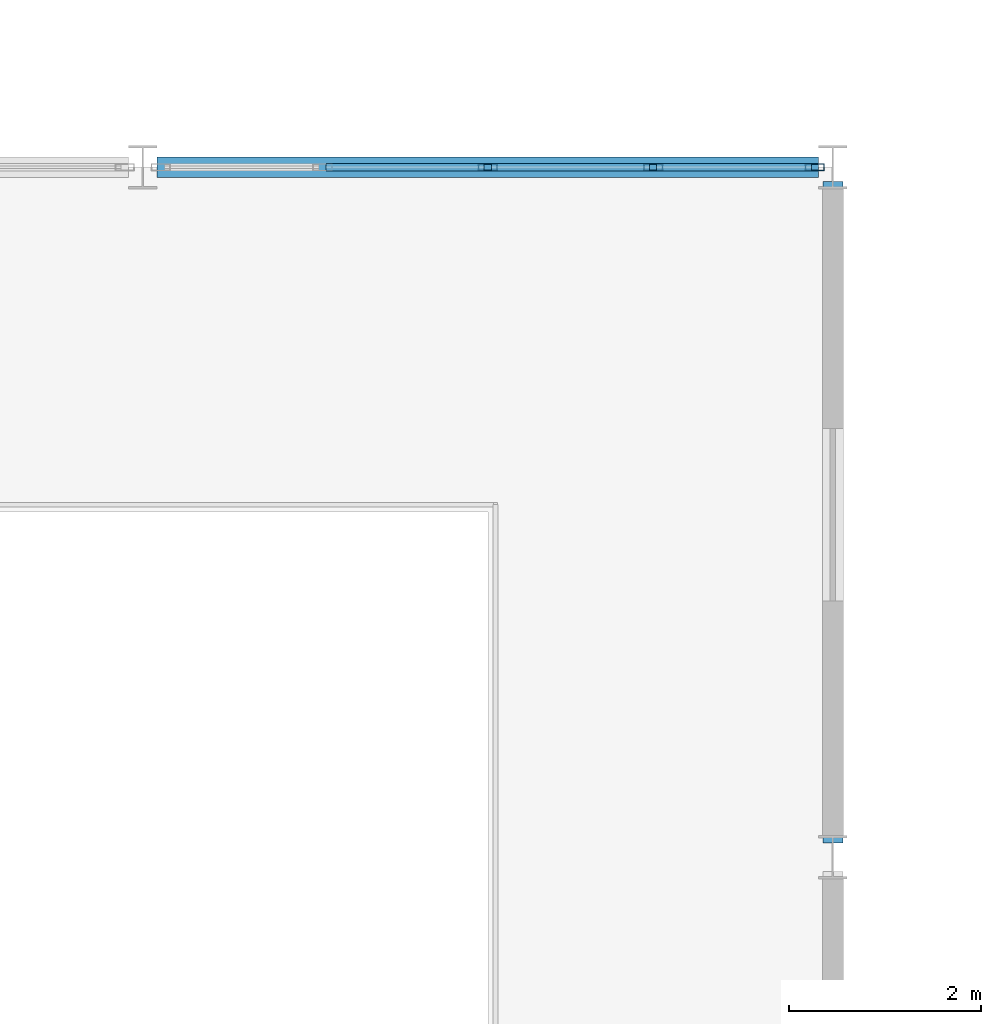
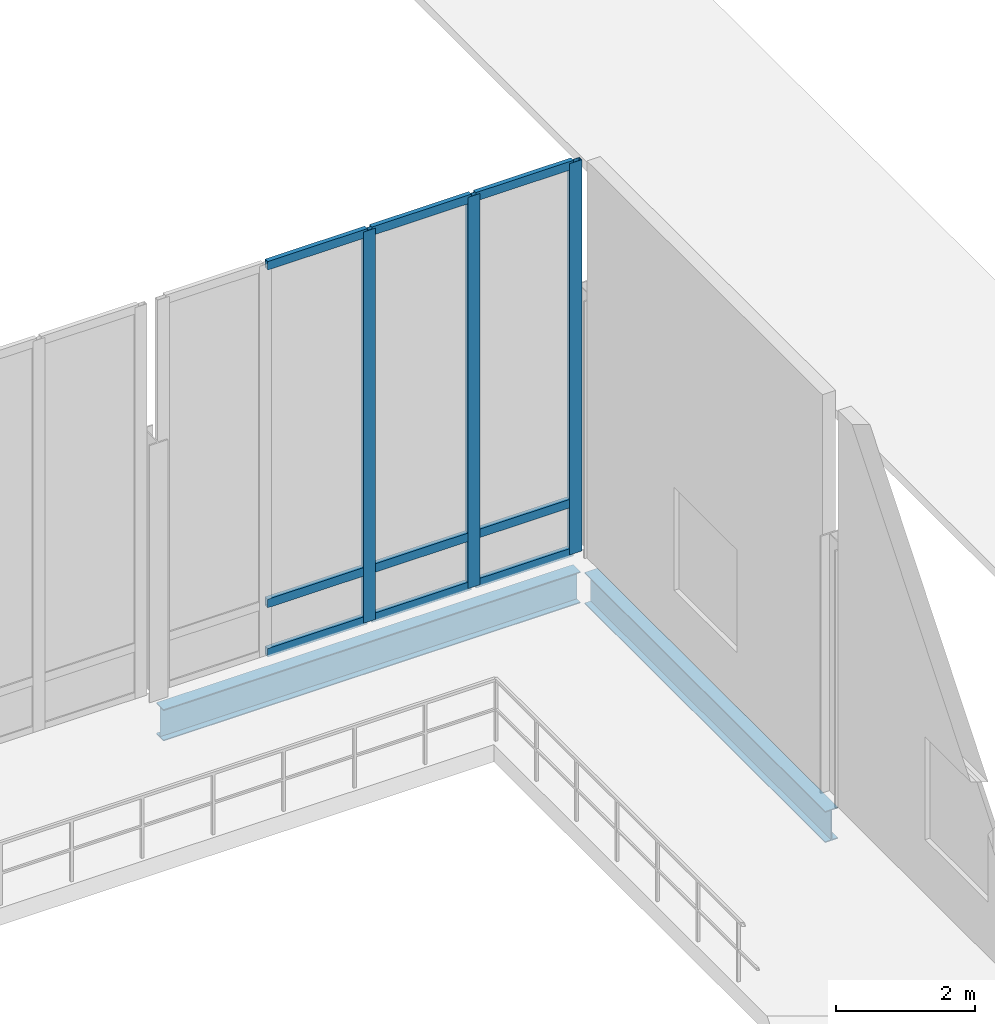
# One storey, part 39 of 110: 12 members, 2 beams, 1 element without a shape of its own.
"""IFC4 building model written with IfcOpenShell, lengths in metres."""

from ifc_helpers import new_model, si_unit, direction, frame, origin, origin_2d, place, context, subcontext, project, spatial, hollow_rectangle, i_section, extrude, material, material_profile, profile_set, type_object, element, aggregate, save


model = new_model("IFC4")

# Units and contexts
model_context = context("Model", 3, precision=1e-05, world=origin(), true_north=direction((0.0, 1.0)))
body_context = subcontext(model_context, "Body", "Model", "MODEL_VIEW")
ifc_project = project(units=[si_unit("LENGTHUNIT", "METRE"), si_unit("AREAUNIT", "SQUARE_METRE"), si_unit("VOLUMEUNIT", "CUBIC_METRE"), si_unit("PLANEANGLEUNIT", "RADIAN"), si_unit("MASSUNIT", "GRAM", prefix="KILO")], contexts=[model_context])

# Site, building, storey
site_placement = place(None, origin())
site = spatial("IfcSite", under=ifc_project, at=site_placement, CompositionType="ELEMENT")
building_placement = place(site_placement, origin())
building = spatial("IfcBuilding", under=site, at=building_placement, Name="Suanplinth Sawtooth Commons", CompositionType="ELEMENT")
storey_placement = place(building_placement, frame((0.0, 0.0, 4.5)))
storey = spatial("IfcBuildingStorey", under=building, at=storey_placement, Name="L01", CompositionType="ELEMENT", Elevation=4.5)

# Beams
ifc_material_1 = material(Name="Steel S355JR", Category="steel")
ifc_material_profile_1 = material_profile(ifc_material_1, i_section(OverallWidth=0.2099609375, OverallDepth=0.550048828125, WebThickness=0.010986328125, FlangeThickness=0.01708984375, at=origin_2d()), Name="IPE 550")
ifc_profile_set_1 = profile_set([ifc_material_profile_1], Name="Steel S355JR")
beam_type = type_object("IfcBeamType", Name="B-10", PredefinedType="USERDEFINED", material=ifc_profile_set_1)
beam_1_placement = place(storey_placement, frame((108.14990234375, 86.39990234375, -0.574951171875), z_axis=(1.0, 0.0, 0.0), x_axis=(0.0, 1.0, 0.0)))
element("IfcBeam", 1, at=beam_1_placement, inside=storey, type_object=beam_type, Name="BMX-L01-HALL-15-12", ObjectType="GIRDER", PredefinedType="USERDEFINED", context=body_context, shape_type="SweptSolid", body=[
    extrude(i_section(OverallWidth=0.2099609375, OverallDepth=0.550048828125, WebThickness=0.010986328125, FlangeThickness=0.01708984375, at=origin_2d()), origin(), (0.0, 0.0, 1.0), 6.900146484375),
])
beam_2_placement = place(storey_placement, frame((115.199951171875, 79.35009765625, -0.574951171875), z_axis=(0.0, 1.0, 0.0), x_axis=(-1.0, 0.0, 0.0)))
element("IfcBeam", 2, at=beam_2_placement, inside=storey, type_object=beam_type, Name="BMY-L01-HALL-16-11", ObjectType="GIRDER", PredefinedType="USERDEFINED", context=body_context, shape_type="SweptSolid", body=[
    extrude(i_section(OverallWidth=0.2099609375, OverallDepth=0.550048828125, WebThickness=0.010986328125, FlangeThickness=0.01708984375, at=origin_2d()), origin(), (0.0, 0.0, 1.0), 6.89990234375),
])

# Curtain wall, members
ifc_material_2 = material(Name="Anodized aluminium and low-E glazing", Category="aluminium")
curtain_wall_type = type_object("IfcCurtainWallType", Name="CW-01", PredefinedType="USERDEFINED", material=ifc_material_2)
curtain_wall_placement = place(storey_placement, origin())
curtain_wall = element("IfcCurtainWall", 3, at=curtain_wall_placement, inside=storey, type_object=curtain_wall_type, Name="Curtain Wall CW-L01-HALL-N-6", ObjectType="CURTAIN WALL", PredefinedType="USERDEFINED")
ifc_material_3 = material(Name="Anodized aluminium 6063-T6", Category="aluminium")
ifc_material_profile_2 = material_profile(ifc_material_3, hollow_rectangle(XDim=0.074951171875, YDim=0.199951171875, WallThickness=0.0048828125, at=origin_2d()), Name="ALU-MUL 75x200")
ifc_profile_set_2 = profile_set([ifc_material_profile_2], Name="Anodized aluminium 6063-T6")
member_type_1 = type_object("IfcMemberType", Name="M-14", PredefinedType="MULLION", material=ifc_profile_set_2)
member_1_placement = place(storey_placement, frame((111.60009765625, 86.39990234375, 0.0), z_axis=(0.0, 0.0, 1.0), x_axis=(0.0, 1.0, 0.0)))
member_1 = element("IfcMember", 4, at=member_1_placement, type_object=member_type_1, Name="CW-01 mullion 3", PredefinedType="MULLION", context=body_context, shape_type="SweptSolid", body=[
    extrude(hollow_rectangle(XDim=0.074951171875, YDim=0.199951171875, WallThickness=0.0048828125, at=origin_2d()), origin(), (0.0, 0.0, 1.0), 6.85009765625),
])
member_2_placement = place(storey_placement, frame((113.324951171875, 86.39990234375, 0.0), z_axis=(0.0, 0.0, 1.0), x_axis=(0.0, 1.0, 0.0)))
member_2 = element("IfcMember", 5, at=member_2_placement, type_object=member_type_1, Name="CW-01 mullion 4", PredefinedType="MULLION", context=body_context, shape_type="SweptSolid", body=[
    extrude(hollow_rectangle(XDim=0.074951171875, YDim=0.199951171875, WallThickness=0.0048828125, at=origin_2d()), origin(), (0.0, 0.0, 1.0), 6.85009765625),
])
member_3_placement = place(storey_placement, frame((115.012451171875, 86.39990234375, 0.0), z_axis=(0.0, 0.0, 1.0), x_axis=(0.0, 1.0, 0.0)))
member_3 = element("IfcMember", 6, at=member_3_placement, type_object=member_type_1, Name="CW-01 mullion 5", PredefinedType="MULLION", context=body_context, shape_type="SweptSolid", body=[
    extrude(hollow_rectangle(XDim=0.074951171875, YDim=0.199951171875, WallThickness=0.0048828125, at=origin_2d()), origin(), (0.0, 0.0, 1.0), 6.85009765625),
])
ifc_material_profile_3 = material_profile(ifc_material_3, hollow_rectangle(XDim=0.074951171875, YDim=0.14990234375, WallThickness=0.00439453125, at=origin_2d()), Name="ALU-TRN 75x150")
ifc_profile_set_3 = profile_set([ifc_material_profile_3], Name="Anodized aluminium 6063-T6")
member_type_2 = type_object("IfcMemberType", Name="M-16", PredefinedType="USERDEFINED", material=ifc_profile_set_3)
member_4_placement = place(storey_placement, frame((109.91259765625, 86.39990234375, 0.03759765625), z_axis=(1.0, 0.0, 0.0), x_axis=(0.0, 1.0, 0.0)))
member_4 = element("IfcMember", 7, at=member_4_placement, type_object=member_type_2, Name="CW-01 transom 2.1", ObjectType="TRANSOM", PredefinedType="USERDEFINED", context=body_context, shape_type="SweptSolid", body=[
    extrude(hollow_rectangle(XDim=0.074951171875, YDim=0.14990234375, WallThickness=0.00439453125, at=origin_2d()), origin(), (0.0, 0.0, 1.0), 1.64990234375),
])
member_5_placement = place(storey_placement, frame((109.91259765625, 86.39990234375, 0.89990234375), z_axis=(1.0, 0.0, 0.0), x_axis=(0.0, 1.0, 0.0)))
member_5 = element("IfcMember", 8, at=member_5_placement, type_object=member_type_2, Name="CW-01 transom 2.2", ObjectType="TRANSOM", PredefinedType="USERDEFINED", context=body_context, shape_type="SweptSolid", body=[
    extrude(hollow_rectangle(XDim=0.074951171875, YDim=0.14990234375, WallThickness=0.00439453125, at=origin_2d()), origin(), (0.0, 0.0, 1.0), 1.64990234375),
])
member_6_placement = place(storey_placement, frame((109.91259765625, 86.39990234375, 6.8125), z_axis=(1.0, 0.0, 0.0), x_axis=(0.0, 1.0, 0.0)))
member_6 = element("IfcMember", 9, at=member_6_placement, type_object=member_type_2, Name="CW-01 transom 2.3", ObjectType="TRANSOM", PredefinedType="USERDEFINED", context=body_context, shape_type="SweptSolid", body=[
    extrude(hollow_rectangle(XDim=0.074951171875, YDim=0.14990234375, WallThickness=0.00439453125, at=origin_2d()), origin(), (0.0, 0.0, 1.0), 1.64990234375),
])
member_7_placement = place(storey_placement, frame((111.637451171875, 86.39990234375, 0.03759765625), z_axis=(1.0, 0.0, 0.0), x_axis=(0.0, 1.0, 0.0)))
member_7 = element("IfcMember", 10, at=member_7_placement, type_object=member_type_2, Name="CW-01 transom 3.1", ObjectType="TRANSOM", PredefinedType="USERDEFINED", context=body_context, shape_type="SweptSolid", body=[
    extrude(hollow_rectangle(XDim=0.074951171875, YDim=0.14990234375, WallThickness=0.00439453125, at=origin_2d()), origin(), (0.0, 0.0, 1.0), 1.650146484375),
])
member_8_placement = place(storey_placement, frame((111.637451171875, 86.39990234375, 0.89990234375), z_axis=(1.0, 0.0, 0.0), x_axis=(0.0, 1.0, 0.0)))
member_8 = element("IfcMember", 11, at=member_8_placement, type_object=member_type_2, Name="CW-01 transom 3.2", ObjectType="TRANSOM", PredefinedType="USERDEFINED", context=body_context, shape_type="SweptSolid", body=[
    extrude(hollow_rectangle(XDim=0.074951171875, YDim=0.14990234375, WallThickness=0.00439453125, at=origin_2d()), origin(), (0.0, 0.0, 1.0), 1.650146484375),
])
member_9_placement = place(storey_placement, frame((111.637451171875, 86.39990234375, 6.8125), z_axis=(1.0, 0.0, 0.0), x_axis=(0.0, 1.0, 0.0)))
member_9 = element("IfcMember", 12, at=member_9_placement, type_object=member_type_2, Name="CW-01 transom 3.3", ObjectType="TRANSOM", PredefinedType="USERDEFINED", context=body_context, shape_type="SweptSolid", body=[
    extrude(hollow_rectangle(XDim=0.074951171875, YDim=0.14990234375, WallThickness=0.00439453125, at=origin_2d()), origin(), (0.0, 0.0, 1.0), 1.650146484375),
])
member_10_placement = place(storey_placement, frame((113.362548828125, 86.39990234375, 0.03759765625), z_axis=(1.0, 0.0, 0.0), x_axis=(0.0, 1.0, 0.0)))
member_10 = element("IfcMember", 13, at=member_10_placement, type_object=member_type_2, Name="CW-01 transom 4.1", ObjectType="TRANSOM", PredefinedType="USERDEFINED", context=body_context, shape_type="SweptSolid", body=[
    extrude(hollow_rectangle(XDim=0.074951171875, YDim=0.14990234375, WallThickness=0.00439453125, at=origin_2d()), origin(), (0.0, 0.0, 1.0), 1.612548828125),
])
member_11_placement = place(storey_placement, frame((113.362548828125, 86.39990234375, 0.89990234375), z_axis=(1.0, 0.0, 0.0), x_axis=(0.0, 1.0, 0.0)))
member_11 = element("IfcMember", 14, at=member_11_placement, type_object=member_type_2, Name="CW-01 transom 4.2", ObjectType="TRANSOM", PredefinedType="USERDEFINED", context=body_context, shape_type="SweptSolid", body=[
    extrude(hollow_rectangle(XDim=0.074951171875, YDim=0.14990234375, WallThickness=0.00439453125, at=origin_2d()), origin(), (0.0, 0.0, 1.0), 1.612548828125),
])
member_12_placement = place(storey_placement, frame((113.362548828125, 86.39990234375, 6.8125), z_axis=(1.0, 0.0, 0.0), x_axis=(0.0, 1.0, 0.0)))
member_12 = element("IfcMember", 15, at=member_12_placement, type_object=member_type_2, Name="CW-01 transom 4.3", ObjectType="TRANSOM", PredefinedType="USERDEFINED", context=body_context, shape_type="SweptSolid", body=[
    extrude(hollow_rectangle(XDim=0.074951171875, YDim=0.14990234375, WallThickness=0.00439453125, at=origin_2d()), origin(), (0.0, 0.0, 1.0), 1.612548828125),
])
aggregate(curtain_wall, [member_1, member_2, member_3, member_4, member_5, member_6, member_7, member_8, member_9, member_10, member_11, member_12])

save(model, "model.ifc")
